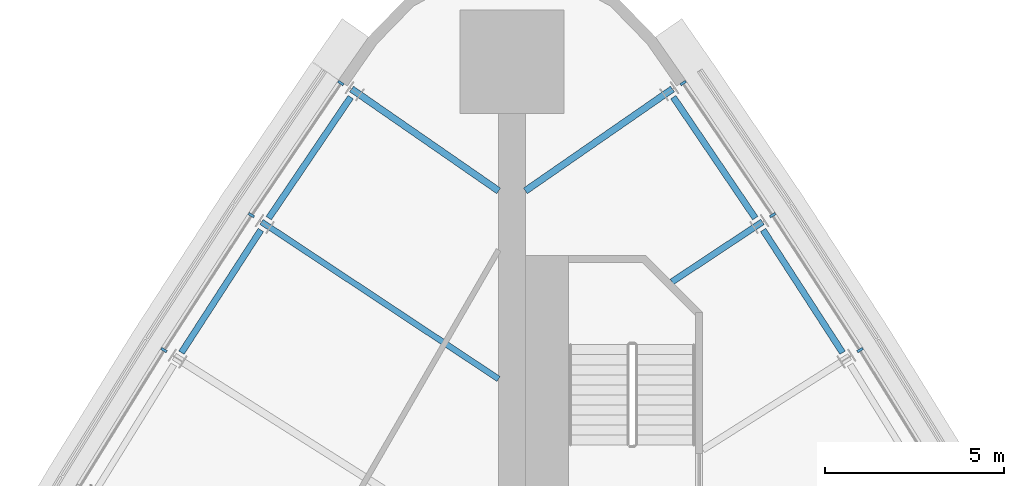
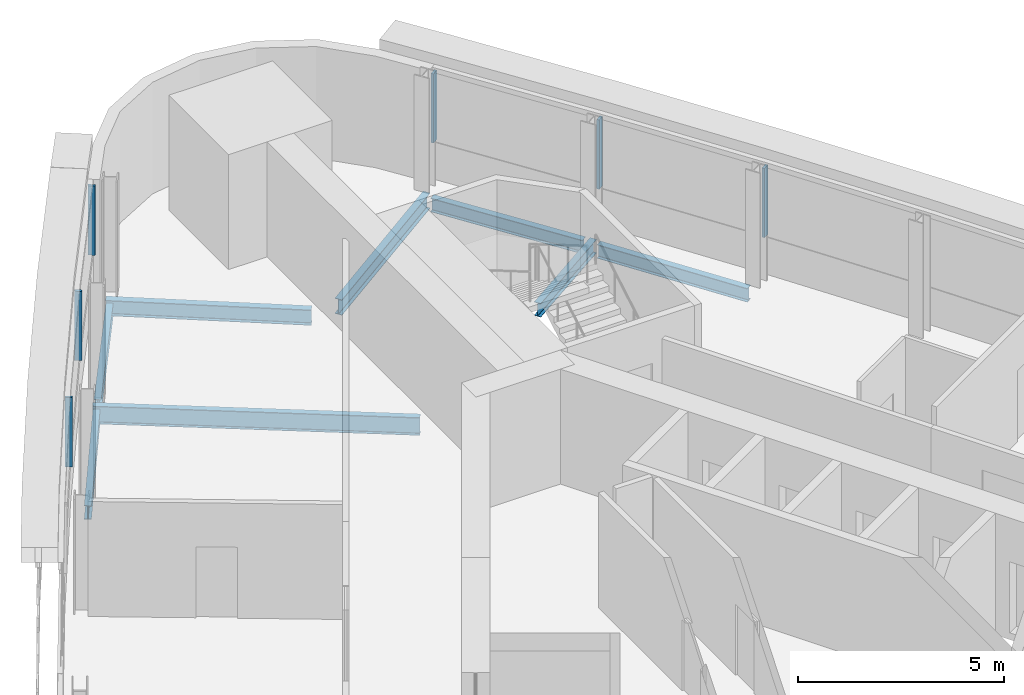
# One storey, part 7 of 13: 8 beams, 6 members, 2 elements without a shape of their own.
"""IFC4 building model written with IfcOpenShell, lengths in metres."""

from ifc_helpers import new_model, si_unit, direction, frame, origin, origin_2d, place, context, subcontext, project, spatial, rectangle, i_section, extrude, material, material_profile, profile_set, type_object, element, aggregate, save


model = new_model("IFC4")

# Units and contexts
model_context = context("Model", 3, precision=1e-05, world=origin(), true_north=direction((0.0, 1.0)))
body_context = subcontext(model_context, "Body", "Model", "MODEL_VIEW")
ifc_project = project(units=[si_unit("LENGTHUNIT", "METRE"), si_unit("AREAUNIT", "SQUARE_METRE"), si_unit("VOLUMEUNIT", "CUBIC_METRE"), si_unit("PLANEANGLEUNIT", "RADIAN"), si_unit("MASSUNIT", "GRAM", prefix="KILO")], contexts=[model_context])

# Site, building, storey
site_placement = place(None, origin())
site = spatial("IfcSite", under=ifc_project, at=site_placement, CompositionType="ELEMENT")
building_placement = place(site_placement, origin())
building = spatial("IfcBuilding", under=site, at=building_placement, Name="Noor Cloister Tower", CompositionType="ELEMENT")
storey_placement = place(building_placement, frame((0.0, 0.0, 143.699951171875)))
storey = spatial("IfcBuildingStorey", under=building, at=storey_placement, Name="L36", CompositionType="ELEMENT", Elevation=143.699951171875)

# Curtain wall, members
ifc_material_1 = material(Name="Aluminium 6063-T6 anodised", Category="aluminium")
curtain_wall_type = type_object("IfcCurtainWallType", Name="Ribbon curtain wall, upper tower CW5", PredefinedType="NOTDEFINED", material=ifc_material_1)
curtain_wall_1_placement = place(storey_placement, origin())
curtain_wall_1 = element("IfcCurtainWall", 1, at=curtain_wall_1_placement, inside=storey, type_object=curtain_wall_type, Name="CW5 L36 NW run 1", PredefinedType="NOTDEFINED")
ifc_material_2 = material(Name="Aluminium 6063-T6 anodised", Category="aluminium")
ifc_material_profile_1 = material_profile(ifc_material_2, rectangle(XDim=0.179931640625, YDim=0.070068359375, at=origin_2d()), Name="180 x 70 mullion")
ifc_profile_set_1 = profile_set([ifc_material_profile_1], Name="Aluminium 6063-T6 anodised")
member_type = type_object("IfcMemberType", Name="Mullion CW5 70 x 180", PredefinedType="MULLION", material=ifc_profile_set_1)
member_1_placement = place(storey_placement, frame((-4.790283203125, 23.478271484375, 1.10009765625), z_axis=(0.0, 0.0, 1.0), x_axis=(0.827946302722, -0.560807382092, 0.0)))
member_1 = element("IfcMember", 2, at=member_1_placement, type_object=member_type, Name="CW5 mullion 1", PredefinedType="MULLION", context=body_context, shape_type="SweptSolid", body=[
    extrude(rectangle(XDim=0.179931640625, YDim=0.070068359375, at=origin_2d()), origin(), (0.0, 0.0, 1.0), 2.050048828125),
])
member_2_placement = place(storey_placement, frame((-7.29345703125, 19.782470703125, 1.10009765625), z_axis=(0.0, 0.0, 1.0), x_axis=(0.833651922579, -0.552290206305, 0.0)))
member_2 = element("IfcMember", 3, at=member_2_placement, type_object=member_type, Name="CW5 mullion 2", PredefinedType="MULLION", context=body_context, shape_type="SweptSolid", body=[
    extrude(rectangle(XDim=0.179931640625, YDim=0.070068359375, at=origin_2d()), origin(), (0.0, 0.0, 1.0), 2.050048828125),
])
member_3_placement = place(storey_placement, frame((-9.739013671875, 16.007568359375, 1.10009765625), z_axis=(0.0, 0.0, 1.0), x_axis=(0.844799730459, -0.53508262485, 0.0)))
member_3 = element("IfcMember", 4, at=member_3_placement, type_object=member_type, Name="CW5 mullion 3", PredefinedType="MULLION", context=body_context, shape_type="SweptSolid", body=[
    extrude(rectangle(XDim=0.179931640625, YDim=0.070068359375, at=origin_2d()), origin(), (0.0, 0.0, 1.0), 2.050048828125),
])
aggregate(curtain_wall_1, [member_1, member_2, member_3])

curtain_wall_2_placement = place(storey_placement, origin())
curtain_wall_2 = element("IfcCurtainWall", 5, at=curtain_wall_2_placement, inside=storey, type_object=curtain_wall_type, Name="CW5 L36 NE run 3", PredefinedType="NOTDEFINED")
member_4_placement = place(storey_placement, frame((9.739013671875, 16.007568359375, 1.10009765625), z_axis=(0.0, 0.0, 1.0), x_axis=(-0.844799730459, -0.53508262485, 0.0)))
member_4 = element("IfcMember", 6, at=member_4_placement, type_object=member_type, Name="CW5 mullion 7", PredefinedType="MULLION", context=body_context, shape_type="SweptSolid", body=[
    extrude(rectangle(XDim=0.179931640625, YDim=0.070068359375, at=origin_2d()), origin(), (0.0, 0.0, 1.0), 2.050048828125),
])
member_5_placement = place(storey_placement, frame((7.29345703125, 19.782470703125, 1.10009765625), z_axis=(0.0, 0.0, 1.0), x_axis=(-0.833651922579, -0.552290206305, 0.0)))
member_5 = element("IfcMember", 7, at=member_5_placement, type_object=member_type, Name="CW5 mullion 8", PredefinedType="MULLION", context=body_context, shape_type="SweptSolid", body=[
    extrude(rectangle(XDim=0.179931640625, YDim=0.070068359375, at=origin_2d()), origin(), (0.0, 0.0, 1.0), 2.050048828125),
])
member_6_placement = place(storey_placement, frame((4.790283203125, 23.478271484375, 1.10009765625), z_axis=(0.0, 0.0, 1.0), x_axis=(-0.827946302722, -0.560807382092, 0.0)))
member_6 = element("IfcMember", 8, at=member_6_placement, type_object=member_type, Name="CW5 mullion 9", PredefinedType="MULLION", context=body_context, shape_type="SweptSolid", body=[
    extrude(rectangle(XDim=0.179931640625, YDim=0.070068359375, at=origin_2d()), origin(), (0.0, 0.0, 1.0), 2.050048828125),
])
aggregate(curtain_wall_2, [member_4, member_5, member_6])

# Beams
ifc_material_3 = material(Name="Steel ASTM A992 Gr 50", Category="steel")
ifc_material_profile_2 = material_profile(ifc_material_3, i_section(OverallWidth=0.177978515625, OverallDepth=0.406005859375, WebThickness=0.0078125, FlangeThickness=0.0126953125, FilletRadius=0.01025390625, at=origin_2d()), Name="W410x60")
ifc_profile_set_2 = profile_set([ifc_material_profile_2], Name="Steel ASTM A992 Gr 50")
beam_type_1 = type_object("IfcBeamType", Name="Radial beam W410x60", PredefinedType="BEAM", material=ifc_profile_set_2)
beam_1_placement = place(storey_placement, frame((7.007568359375, 19.593017578125, -0.40283203125), z_axis=(-0.833667112597, -0.552267277117, 0.0), x_axis=(0.552267277117, -0.833667112597, 0.0)))
element("IfcBeam", 9, at=beam_1_placement, inside=storey, type_object=beam_type_1, Name="Radial beam NE 08 L36", PredefinedType="BEAM", context=body_context, shape_type="SweptSolid", body=[
    extrude(i_section(OverallWidth=0.177978515625, OverallDepth=0.406005859375, WebThickness=0.0078125, FlangeThickness=0.0126953125, FilletRadius=0.01025390625, at=origin_2d()), origin(), (0.0, 0.0, 1.0), 3.03662109375),
])
ifc_material_4 = material(Name="Steel ASTM A992 Gr 50", Category="steel")
ifc_material_profile_3 = material_profile(ifc_material_4, i_section(OverallWidth=0.19091796875, OverallDepth=0.45703125, WebThickness=0.009033203125, FlangeThickness=0.014404296875, FilletRadius=0.01025390625, at=origin_2d()), Name="W460x74")
ifc_profile_set_3 = profile_set([ifc_material_profile_3], Name="Steel ASTM A992 Gr 50")
beam_type_2 = type_object("IfcBeamType", Name="Radial beam W460x74", PredefinedType="BEAM", material=ifc_profile_set_3)
for number, where, z_axis, x_axis, name in (
    (10, (-4.489013671875, 23.311279296875, -0.428466796875), (0.822148278839, -0.56927340321, 0.0), (0.56927340321, 0.822148278839, 0.0), "Radial beam NW 01 L36"),
    (11, (4.489013671875, 23.311279296875, -0.428466796875), (-0.822148278839, -0.56927340321, 0.0), (0.56927340321, -0.822148278839, 0.0), "Radial beam NE 09 L36"),
):
    element("IfcBeam", number, at=place(storey_placement, frame(where, z_axis=z_axis, x_axis=x_axis)), inside=storey, type_object=beam_type_2, Name=name, PredefinedType="BEAM", context=body_context, shape_type="SweptSolid", body=[
        extrude(i_section(OverallWidth=0.19091796875, OverallDepth=0.45703125, WebThickness=0.009033203125, FlangeThickness=0.014404296875, FilletRadius=0.01025390625, at=origin_2d()), origin(), (0.0, 0.0, 1.0), 5.00390625),
    ])
ifc_material_5 = material(Name="Steel ASTM A992 Gr 50", Category="steel")
ifc_material_profile_4 = material_profile(ifc_material_5, i_section(OverallWidth=0.166015625, OverallDepth=0.528076171875, WebThickness=0.009765625, FlangeThickness=0.013671875, FilletRadius=0.0126953125, at=origin_2d()), Name="W530x74")
ifc_profile_set_4 = profile_set([ifc_material_profile_4], Name="Steel ASTM A992 Gr 50")
beam_type_3 = type_object("IfcBeamType", Name="Radial beam W530x74", PredefinedType="BEAM", material=ifc_profile_set_4)
beam_2_placement = place(storey_placement, frame((-7.007568359375, 19.593017578125, -0.4638671875), z_axis=(0.833651934987, -0.552290187576, 0.0), x_axis=(0.552290187576, 0.833651934987, 0.0)))
element("IfcBeam", 12, at=beam_2_placement, inside=storey, type_object=beam_type_3, Name="Radial beam NW 02 L36", PredefinedType="BEAM", context=body_context, shape_type="SweptSolid", body=[
    extrude(i_section(OverallWidth=0.166015625, OverallDepth=0.528076171875, WebThickness=0.009765625, FlangeThickness=0.013671875, FilletRadius=0.0126953125, at=origin_2d()), origin(), (0.0, 0.0, 1.0), 7.9560546875),
])
ifc_material_6 = material(Name="Steel ASTM A992 Gr 50", Category="steel")
ifc_material_profile_5 = material_profile(ifc_material_6, i_section(OverallWidth=0.177978515625, OverallDepth=0.406005859375, WebThickness=0.0078125, FlangeThickness=0.0126953125, FilletRadius=0.01025390625, at=origin_2d()), Name="W410x60")
ifc_profile_set_5 = profile_set([ifc_material_profile_5], Name="Steel ASTM A992 Gr 50")
beam_type_4 = type_object("IfcBeamType", Name="Spandrel beam W410x60", PredefinedType="SPANDREL", material=ifc_profile_set_5)
beam_3_placement = place(storey_placement, frame((-4.512939453125, 23.085205078125, -0.40283203125), z_axis=(-0.560842865351, -0.827922267115, 0.0), x_axis=(0.827922267115, -0.560842865351, 0.0)))
element("IfcBeam", 13, at=beam_3_placement, inside=storey, type_object=beam_type_4, Name="Spandrel beam NW 01 L36", PredefinedType="SPANDREL", context=body_context, shape_type="SweptSolid", body=[
    extrude(i_section(OverallWidth=0.177978515625, OverallDepth=0.406005859375, WebThickness=0.0078125, FlangeThickness=0.0126953125, FilletRadius=0.01025390625, at=origin_2d()), origin(), (0.0, 0.0, 1.0), 4.08984375),
])
for number, where, z_axis, x_axis, name in (
    (14, (-7.02685546875, 19.366455078125, -0.40283203125), (-0.54371406046, -0.839270528767, 0.0), (0.839270528767, -0.54371406046, 0.0), "Spandrel beam NW 02 L36"),
    (15, (9.25048828125, 15.93408203125, -0.40283203125), (-0.54371406046, 0.839270528767, 0.0), (-0.839270528767, -0.54371406046, 0.0), "Spandrel beam NE 07 L36"),
):
    element("IfcBeam", number, at=place(storey_placement, frame(where, z_axis=z_axis, x_axis=x_axis)), inside=storey, type_object=beam_type_4, Name=name, PredefinedType="SPANDREL", context=body_context, shape_type="SweptSolid", body=[
        extrude(i_section(OverallWidth=0.177978515625, OverallDepth=0.406005859375, WebThickness=0.0078125, FlangeThickness=0.0126953125, FilletRadius=0.01025390625, at=origin_2d()), origin(), (0.0, 0.0, 1.0), 4.089599609375),
    ])
beam_4_placement = place(storey_placement, frame((6.806640625, 19.69921875, -0.40283203125), z_axis=(-0.560842865351, 0.827922267115, 0.0), x_axis=(-0.827922267115, -0.560842865351, 0.0)))
element("IfcBeam", 16, at=beam_4_placement, inside=storey, type_object=beam_type_4, Name="Spandrel beam NE 08 L36", PredefinedType="SPANDREL", context=body_context, shape_type="SweptSolid", body=[
    extrude(i_section(OverallWidth=0.177978515625, OverallDepth=0.406005859375, WebThickness=0.0078125, FlangeThickness=0.0126953125, FilletRadius=0.01025390625, at=origin_2d()), origin(), (0.0, 0.0, 1.0), 4.08984375),
])

save(model, "model.ifc")
